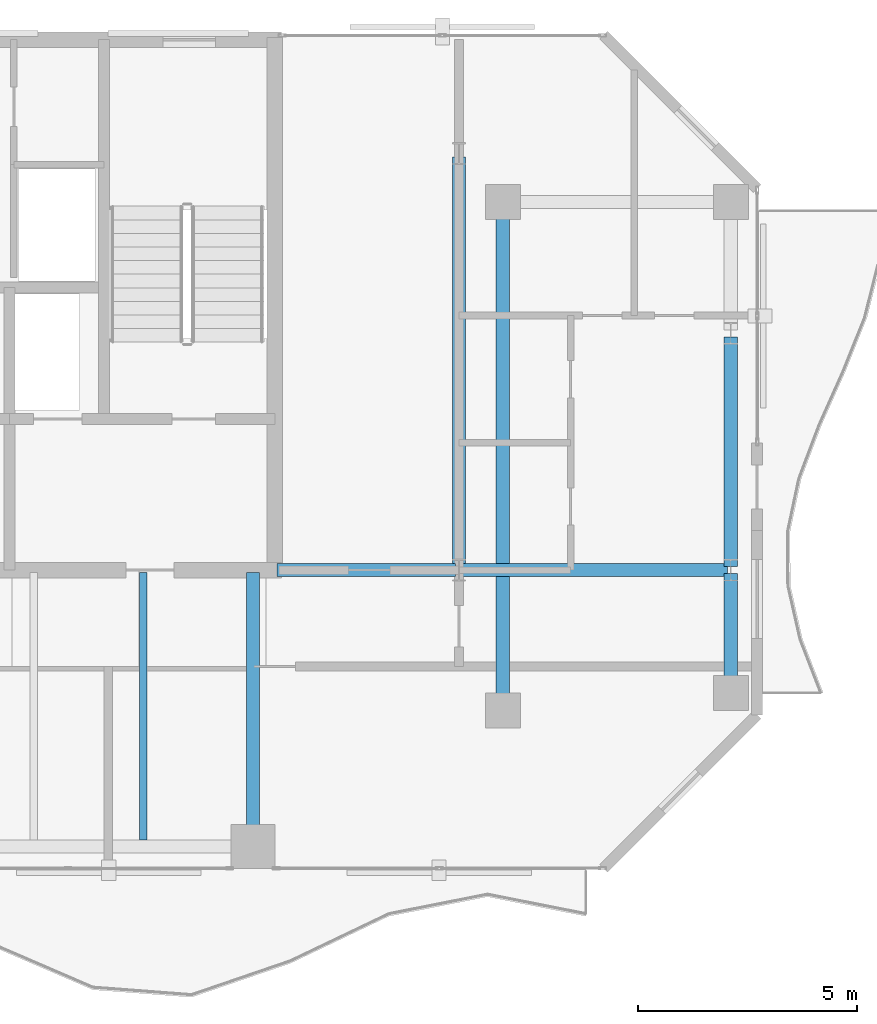
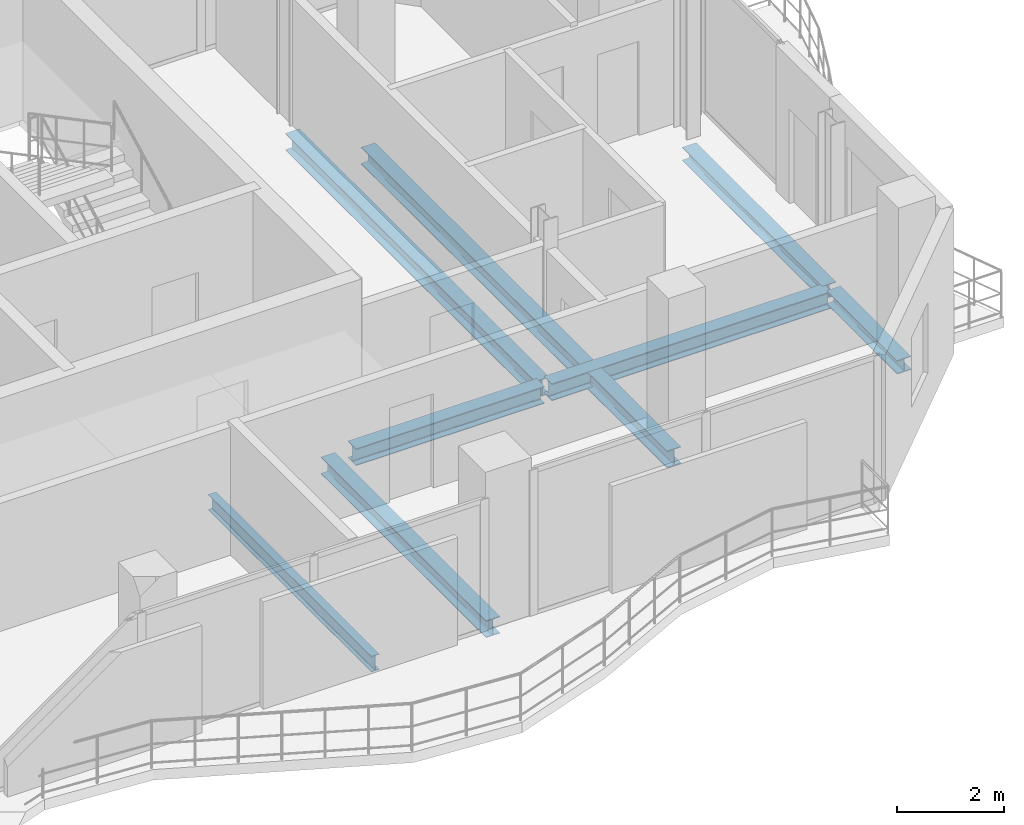
# One storey, part 13 of 23: 8 beams.
"""IFC4 building model written with IfcOpenShell, lengths in metres."""

import ifcopenshell
import ifcopenshell.guid

model = None  # the IFC model being written
_history = None  # IfcOwnerHistory: only IFC2X3 demands one
_inside = {}  # id of a spatial element -> (the spatial element, [elements in it])
_under = {}  # id of a project, library or spatial element -> (it, [spatial elements below it])
_declared = {}  # id of a project -> (the project, [libraries it declares])
_typed = {}  # id of a type object -> (the type object, [elements of that type])
_made_of = {}  # id of a material, layer set ... -> (it, [elements and type objects made of it])


def new_model(schema):
    """Start an empty IFC model of exactly this schema.

    Asked for "IFC4X3", IfcOpenShell would pick the latest addendum, in which some entities
    have other attributes; the version numbers below select the first issue.
    IFC2X3 requires an IfcOwnerHistory on every rooted entity: one is made here for all.
    """
    global model, _history
    if schema == "IFC4X3":
        model = ifcopenshell.file(schema_version=(4, 3, 0, 0))
    else:
        model = ifcopenshell.file(schema=schema)
    _inside.clear()
    _under.clear()
    _declared.clear()
    _typed.clear()
    _made_of.clear()
    _history = None
    if model.schema == "IFC2X3":
        org = make("IfcOrganization", Name="unknown")
        user = make(
            "IfcPersonAndOrganization",
            ThePerson=make("IfcPerson", FamilyName="unknown"),
            TheOrganization=org,
        )
        app = make(
            "IfcApplication",
            ApplicationDeveloper=org,
            Version="unknown",
            ApplicationFullName="unknown",
            ApplicationIdentifier="unknown",
        )
        _history = make(
            "IfcOwnerHistory",
            OwningUser=user,
            OwningApplication=app,
            ChangeAction="ADDED",
            CreationDate=0,
        )
    return model


def make(cls, **values):
    """One entity of the class cls with the attributes given. An attribute that is None is left unset."""
    return model.create_entity(
        cls, **{name: value for name, value in values.items() if value is not None}
    )


def rooted(cls, **values):
    """An entity with a GlobalId (a new one), such as an element, a storey or a relation."""
    return make(cls, GlobalId=ifcopenshell.guid.new(), OwnerHistory=_history, **values)


def si_unit(unit_type, name, prefix=None):
    """IfcSIUnit, for example si_unit("LENGTHUNIT", "METRE", prefix="MILLI")."""
    return make("IfcSIUnit", UnitType=unit_type, Prefix=prefix, Name=name)


def assignment(units):
    """IfcUnitAssignment: the units of a project."""
    return None if units is None else make("IfcUnitAssignment", Units=units)


def point(xyz):
    """IfcCartesianPoint."""
    return None if xyz is None else make("IfcCartesianPoint", Coordinates=xyz)


def direction(xyz):
    """IfcDirection."""
    return None if xyz is None else make("IfcDirection", DirectionRatios=xyz)


def frame(location, z_axis=None, x_axis=None):
    """IfcAxis2Placement3D, a coordinate frame: its origin and axes. An axis left out is left unset."""
    return make(
        "IfcAxis2Placement3D",
        Location=point(location),
        Axis=direction(z_axis),
        RefDirection=direction(x_axis),
    )


def frame_2d(location, x_axis=None):
    """IfcAxis2Placement2D, a coordinate frame in the plane: its origin and x axis."""
    return make(
        "IfcAxis2Placement2D", Location=point(location), RefDirection=direction(x_axis)
    )


def origin():
    """The frame at (0, 0, 0) with its axes left unset."""
    return frame((0.0, 0.0, 0.0))


def origin_2d():
    """The frame at (0, 0) in the plane with its x axis left unset."""
    return frame_2d((0.0, 0.0))


def place(relative_to, where):
    """IfcLocalPlacement: puts the frame where relative to a parent placement (None: the world)."""
    return make(
        "IfcLocalPlacement", PlacementRelTo=relative_to, RelativePlacement=where
    )


def context(
    kind, dimensions, precision=None, world=None, true_north=None, identifier=None
):
    """IfcGeometricRepresentationContext, for example the 3D "Model" context."""
    return make(
        "IfcGeometricRepresentationContext",
        ContextIdentifier=identifier,
        ContextType=kind,
        CoordinateSpaceDimension=dimensions,
        Precision=precision,
        WorldCoordinateSystem=world,
        TrueNorth=true_north,
    )


def subcontext(parent, identifier, kind, view, scale=None):
    """IfcGeometricRepresentationSubContext, for example "Body" below "Model"."""
    return make(
        "IfcGeometricRepresentationSubContext",
        ContextIdentifier=identifier,
        ContextType=kind,
        ParentContext=parent,
        TargetScale=scale,
        TargetView=view,
    )


def project(units=None, contexts=None):
    """IfcProject with its units and contexts."""
    return rooted(
        "IfcProject",
        Name="project",
        RepresentationContexts=contexts,
        UnitsInContext=assignment(units),
    )


def spatial(cls, under=None, at=None, **own):
    """A site, building, storey or space (cls), placed at a placement, below another one or the project."""
    s = rooted(cls, ObjectPlacement=at, **own)
    if under is not None:
        _under.setdefault(under.id(), (under, []))[1].append(s)
    return s


def profile(cls, at=None, kind="AREA", **sizes):
    """A parametric profile (cls). Its sizes go by their IFC names, for example OverallWidth=200.0."""
    return make(cls, ProfileType=kind, Position=at, **sizes)


def i_section(**sizes):
    """IfcIShapeProfileDef."""
    return profile("IfcIShapeProfileDef", **sizes)


def extrude(swept, where, along, depth):
    """IfcExtrudedAreaSolid: the profile swept, set in the frame where, extruded along a direction by depth."""
    return make(
        "IfcExtrudedAreaSolid",
        SweptArea=swept,
        Position=where,
        ExtrudedDirection=direction(along),
        Depth=depth,
    )


def shape(context_of_items, identifier, shape_type, items):
    """IfcShapeRepresentation: the items that make up one representation, for example the "Body"."""
    return make(
        "IfcShapeRepresentation",
        ContextOfItems=context_of_items,
        RepresentationIdentifier=identifier,
        RepresentationType=shape_type,
        Items=items,
    )


def material(Name=None, Category=None):
    """IfcMaterial."""
    return make("IfcMaterial", Name=Name, Category=Category)


def material_profile(
    of_material, cross_section, Name=None, Category=None, Priority=None
):
    """IfcMaterialProfile: a cross section and its material."""
    return make(
        "IfcMaterialProfile",
        Name=Name,
        Material=of_material,
        Profile=cross_section,
        Priority=Priority,
        Category=Category,
    )


def profile_set(profiles, Name=None, composite=None):
    """IfcMaterialProfileSet."""
    return make(
        "IfcMaterialProfileSet",
        Name=Name,
        MaterialProfiles=profiles,
        CompositeProfile=composite,
    )


def made_of(thing, what):
    """Note that an element or type object is made of a material, layer set ...; save() writes the relation."""
    if what is not None:
        _made_of.setdefault(what.id(), (what, []))[1].append(thing)
    return thing


def type_object(cls, material=None, **own):
    """A type object (cls), such as IfcWallType, which elements share."""
    return made_of(rooted(cls, **own), material)


def element(
    cls,
    number,
    at=None,
    inside=None,
    cuts=None,
    type_object=None,
    material=None,
    context=None,
    identifier="Body",
    shape_type=None,
    held_by="IfcProductDefinitionShape",
    body=None,
    shapes=None,
    **own,
):
    """One element of the class cls, such as IfcWall. Its Tag is "e" and its number.

    at: its placement. inside: the storey or other place that contains it. cuts: it is an
    opening in that element (IfcRelVoidsElement). A single representation is given by context,
    identifier, shape_type and body (its items); several are given by shapes. held_by: the class
    of the entity that holds the representations. save() writes the other relations.
    """
    e = rooted(cls, Tag="e%d" % number, ObjectPlacement=at, **own)
    if body is not None:
        shapes = [shape(context, identifier, shape_type, body)]
    if shapes is not None:
        e.Representation = make(held_by, Representations=shapes)
    if inside is not None:
        _inside.setdefault(inside.id(), (inside, []))[1].append(e)
    if cuts is not None:
        rooted(
            "IfcRelVoidsElement", RelatingBuildingElement=cuts, RelatedOpeningElement=e
        )
    if type_object is not None:
        _typed.setdefault(type_object.id(), (type_object, []))[1].append(e)
    return made_of(e, material)


def aggregate(whole, parts):
    """IfcRelAggregates: a whole, such as a stair, and the parts it consists of."""
    return rooted("IfcRelAggregates", RelatingObject=whole, RelatedObjects=parts)


def save(model, path):
    """Write the relations noted so far, then the file.

    IfcRelAggregates (storeys below a building ...), IfcRelContainedInSpatialStructure (elements
    in a storey), IfcRelDefinesByType, IfcRelAssociatesMaterial and IfcRelDeclares: one each for
    every whole, place, type object, material and project.
    """
    for whole, parts in _under.values():
        aggregate(whole, parts)
    for where, things in _inside.values():
        rooted(
            "IfcRelContainedInSpatialStructure",
            RelatedElements=things,
            RelatingStructure=where,
        )
    for kind, things in _typed.values():
        rooted("IfcRelDefinesByType", RelatedObjects=things, RelatingType=kind)
    for what, things in _made_of.values():
        rooted("IfcRelAssociatesMaterial", RelatedObjects=things, RelatingMaterial=what)
    for by, libraries in _declared.values():
        rooted("IfcRelDeclares", RelatingContext=by, RelatedDefinitions=libraries)
    model.write(path)


model = new_model("IFC4")

# Units and contexts
model_context = context("Model", 3, precision=1e-05, world=origin(), true_north=direction((0.0, 1.0)))
body_context = subcontext(model_context, "Body", "Model", "MODEL_VIEW")
ifc_project = project(units=[si_unit("LENGTHUNIT", "METRE"), si_unit("AREAUNIT", "SQUARE_METRE"), si_unit("VOLUMEUNIT", "CUBIC_METRE"), si_unit("PLANEANGLEUNIT", "RADIAN"), si_unit("MASSUNIT", "GRAM", prefix="KILO")], contexts=[model_context])

# Site, building, storey
site_placement = place(None, origin())
site = spatial("IfcSite", under=ifc_project, at=site_placement, CompositionType="ELEMENT")
building_placement = place(site_placement, origin())
building = spatial("IfcBuilding", under=site, at=building_placement, Name="Catumbela Crestline Tower", CompositionType="ELEMENT")
storey_placement = place(building_placement, frame((0.0, 0.0, 168.6)))
storey = spatial("IfcBuildingStorey", under=building, at=storey_placement, Name="L43", CompositionType="ELEMENT", Elevation=168.6)

# Beams
ifc_material = material(Name="Structural steel S355J2", Category="steel")
ifc_material_profile_1 = material_profile(ifc_material, i_section(OverallWidth=0.3, OverallDepth=0.39, WebThickness=0.011, FlangeThickness=0.019, FilletRadius=0.027, at=origin_2d()), Name="HEA 400")
ifc_profile_set_1 = profile_set([ifc_material_profile_1], Name="Structural steel S355J2")
beam_type_1 = type_object("IfcBeamType", Name="BG-HEA400", PredefinedType="BEAM", material=ifc_profile_set_1)
beam_1_placement = place(storey_placement, frame((40.05, 30.8, -0.455), z_axis=(1.0, 0.0, 0.0), x_axis=(0.0, 1.0, 0.0)))
element("IfcBeam", 1, at=beam_1_placement, inside=storey, type_object=beam_type_1, Name="L43 Beam BM-L43-M08", PredefinedType="BEAM", context=body_context, shape_type="SweptSolid", body=[
    extrude(i_section(OverallWidth=0.3, OverallDepth=0.39, WebThickness=0.011, FlangeThickness=0.019, FilletRadius=0.027, at=origin_2d()), origin(), (0.0, 0.0, 1.0), 4.07),
])
beam_2_placement = place(storey_placement, frame((44.28, 30.8, -0.455), z_axis=(1.0, 0.0, 0.0), x_axis=(0.0, 1.0, 0.0)))
element("IfcBeam", 2, at=beam_2_placement, inside=storey, type_object=beam_type_1, Name="L43 Beam BM-L43-M09", PredefinedType="BEAM", context=body_context, shape_type="SweptSolid", body=[
    extrude(i_section(OverallWidth=0.3, OverallDepth=0.39, WebThickness=0.011, FlangeThickness=0.019, FilletRadius=0.027, at=origin_2d()), origin(), (0.0, 0.0, 1.0), 6.04),
])
beam_3_placement = place(storey_placement, frame((39.5, 24.58, -0.455), z_axis=(0.0, 1.0, 0.0), x_axis=(-1.0, 0.0, 0.0)))
element("IfcBeam", 3, at=beam_3_placement, inside=storey, type_object=beam_type_1, Name="L43 Beam BM-L43-SNS20", PredefinedType="BEAM", context=body_context, shape_type="SweptSolid", body=[
    extrude(i_section(OverallWidth=0.3, OverallDepth=0.39, WebThickness=0.011, FlangeThickness=0.019, FilletRadius=0.027, at=origin_2d()), origin(), (0.0, 0.0, 1.0), 6.17),
])
beam_4_placement = place(storey_placement, frame((44.2, 30.88, -0.455), z_axis=(0.0, 1.0, 0.0), x_axis=(-1.0, 0.0, 0.0)))
element("IfcBeam", 4, at=beam_4_placement, inside=storey, type_object=beam_type_1, Name="L43 Beam BM-L43-SN21", PredefinedType="BEAM", context=body_context, shape_type="SweptSolid", body=[
    extrude(i_section(OverallWidth=0.3, OverallDepth=0.39, WebThickness=0.011, FlangeThickness=0.019, FilletRadius=0.027, at=origin_2d()), origin(), (0.0, 0.0, 1.0), 9.34),
])
beam_5_placement = place(storey_placement, frame((45.2, 27.68, -0.455), z_axis=(0.0, 1.0, 0.0), x_axis=(-1.0, 0.0, 0.0)))
element("IfcBeam", 5, at=beam_5_placement, inside=storey, type_object=beam_type_1, Name="L43 Beam BM-L43-SN22", PredefinedType="BEAM", context=body_context, shape_type="SweptSolid", body=[
    extrude(i_section(OverallWidth=0.3, OverallDepth=0.39, WebThickness=0.011, FlangeThickness=0.019, FilletRadius=0.027, at=origin_2d()), origin(), (0.0, 0.0, 1.0), 11.44),
])
ifc_material_profile_2 = material_profile(ifc_material, i_section(OverallWidth=0.17, OverallDepth=0.36, WebThickness=0.008, FlangeThickness=0.0127, FilletRadius=0.018, at=origin_2d()), Name="IPE 360")
ifc_profile_set_2 = profile_set([ifc_material_profile_2], Name="Structural steel S355J2")
beam_type_2 = type_object("IfcBeamType", Name="BJ-IPE360", PredefinedType="JOIST", material=ifc_profile_set_2)
beam_6_placement = place(storey_placement, frame((37.0, 24.647, -0.44), z_axis=(0.0, 1.0, 0.0), x_axis=(-1.0, 0.0, 0.0)))
element("IfcBeam", 6, at=beam_6_placement, inside=storey, type_object=beam_type_2, Name="L43 Joist JS-L43-SP31", PredefinedType="JOIST", context=body_context, shape_type="SweptSolid", body=[
    extrude(i_section(OverallWidth=0.17, OverallDepth=0.36, WebThickness=0.008, FlangeThickness=0.0127, FilletRadius=0.018, at=origin_2d()), origin(), (0.0, 0.0, 1.0), 6.103),
])
ifc_material_profile_3 = material_profile(ifc_material, i_section(OverallWidth=0.3, OverallDepth=0.31, WebThickness=0.009, FlangeThickness=0.0155, FilletRadius=0.027, at=origin_2d()), Name="HEA 320")
ifc_profile_set_3 = profile_set([ifc_material_profile_3], Name="Structural steel S355J2")
beam_type_3 = type_object("IfcBeamType", Name="BS-HEA320", PredefinedType="SPANDREL", material=ifc_profile_set_3)
beam_7_placement = place(storey_placement, frame((50.4, 28.08, -0.415), z_axis=(0.0, 1.0, 0.0), x_axis=(-1.0, 0.0, 0.0)))
element("IfcBeam", 7, at=beam_7_placement, inside=storey, type_object=beam_type_3, Name="L43 Spandrel SP-L43-SN23", PredefinedType="SPANDREL", context=body_context, shape_type="SweptSolid", body=[
    extrude(i_section(OverallWidth=0.3, OverallDepth=0.31, WebThickness=0.009, FlangeThickness=0.0155, FilletRadius=0.027, at=origin_2d()), origin(), (0.0, 0.0, 1.0), 2.64),
])
beam_8_placement = place(storey_placement, frame((50.4, 30.88, -0.415), z_axis=(0.0, 1.0, 0.0), x_axis=(-1.0, 0.0, 0.0)))
element("IfcBeam", 8, at=beam_8_placement, inside=storey, type_object=beam_type_3, Name="L43 Spandrel SP-L43-SN24", PredefinedType="SPANDREL", context=body_context, shape_type="SweptSolid", body=[
    extrude(i_section(OverallWidth=0.3, OverallDepth=0.31, WebThickness=0.009, FlangeThickness=0.0155, FilletRadius=0.027, at=origin_2d()), origin(), (0.0, 0.0, 1.0), 5.24),
])

save(model, "model.ifc")
